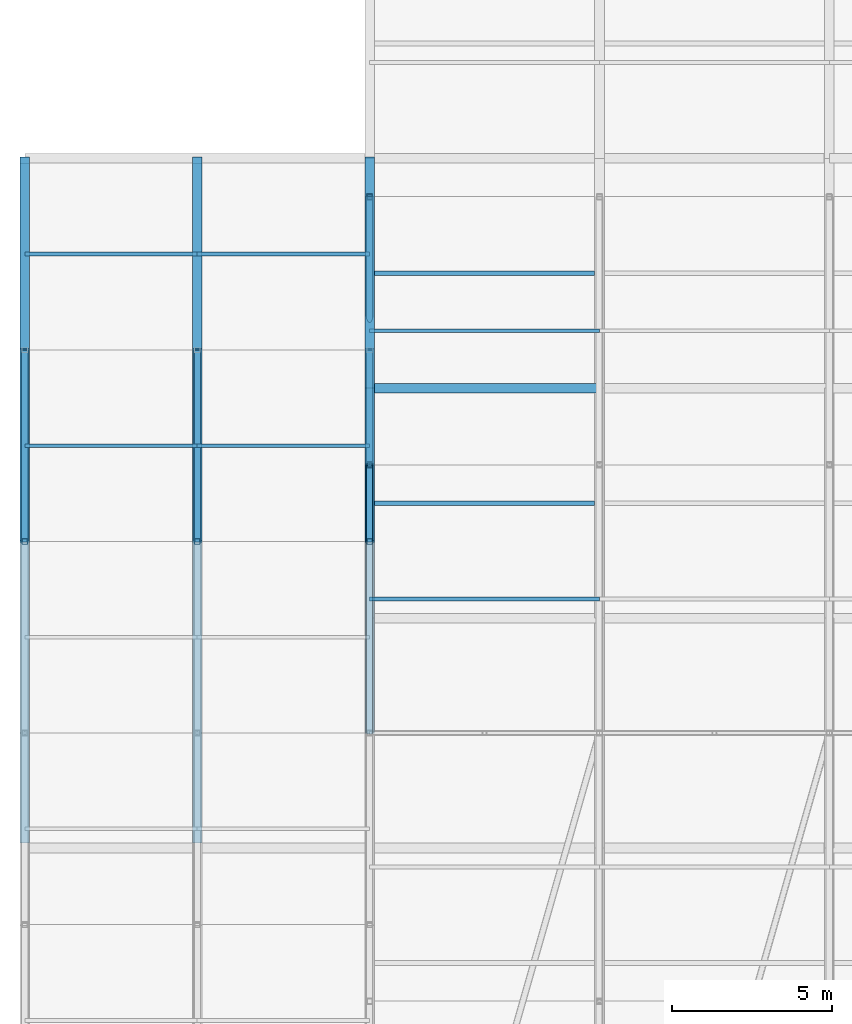
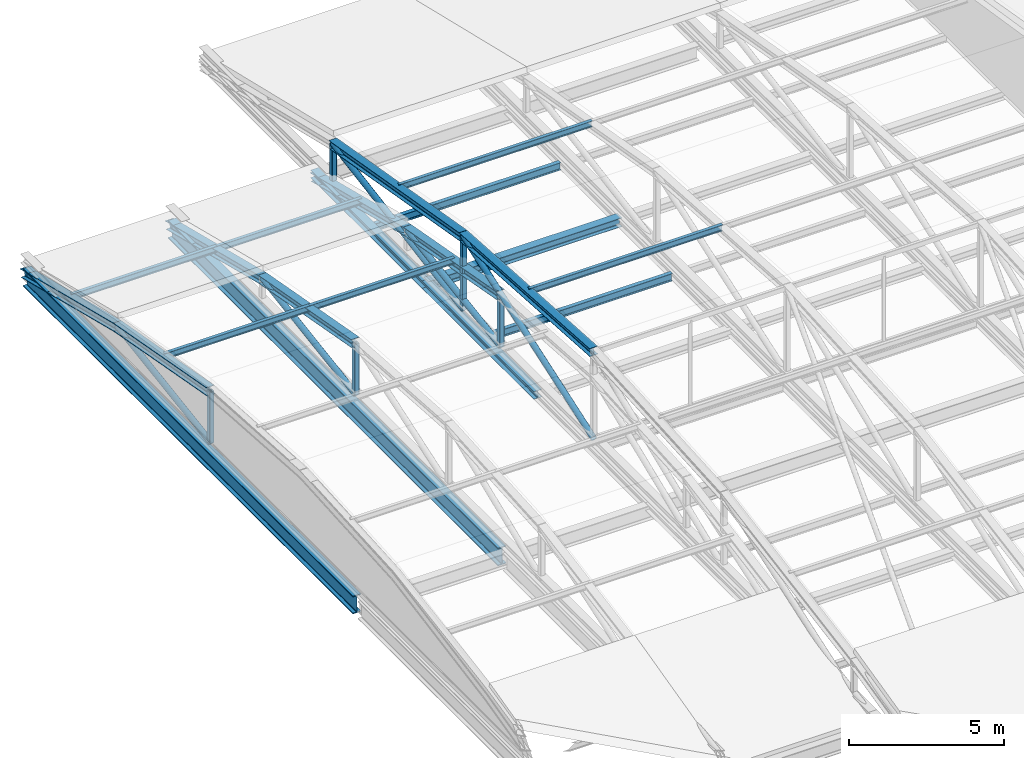
# One storey, part 35 of 76: 18 members, 13 beams.
"""IFC4 building model written with IfcOpenShell, lengths in metres."""

import ifcopenshell
import ifcopenshell.guid

model = None  # the IFC model being written
_history = None  # IfcOwnerHistory: only IFC2X3 demands one
_inside = {}  # id of a spatial element -> (the spatial element, [elements in it])
_under = {}  # id of a project, library or spatial element -> (it, [spatial elements below it])
_declared = {}  # id of a project -> (the project, [libraries it declares])
_typed = {}  # id of a type object -> (the type object, [elements of that type])
_made_of = {}  # id of a material, layer set ... -> (it, [elements and type objects made of it])


def new_model(schema):
    """Start an empty IFC model of exactly this schema.

    Asked for "IFC4X3", IfcOpenShell would pick the latest addendum, in which some entities
    have other attributes; the version numbers below select the first issue.
    IFC2X3 requires an IfcOwnerHistory on every rooted entity: one is made here for all.
    """
    global model, _history
    if schema == "IFC4X3":
        model = ifcopenshell.file(schema_version=(4, 3, 0, 0))
    else:
        model = ifcopenshell.file(schema=schema)
    _inside.clear()
    _under.clear()
    _declared.clear()
    _typed.clear()
    _made_of.clear()
    _history = None
    if model.schema == "IFC2X3":
        org = make("IfcOrganization", Name="unknown")
        user = make(
            "IfcPersonAndOrganization",
            ThePerson=make("IfcPerson", FamilyName="unknown"),
            TheOrganization=org,
        )
        app = make(
            "IfcApplication",
            ApplicationDeveloper=org,
            Version="unknown",
            ApplicationFullName="unknown",
            ApplicationIdentifier="unknown",
        )
        _history = make(
            "IfcOwnerHistory",
            OwningUser=user,
            OwningApplication=app,
            ChangeAction="ADDED",
            CreationDate=0,
        )
    return model


def make(cls, **values):
    """One entity of the class cls with the attributes given. An attribute that is None is left unset."""
    return model.create_entity(
        cls, **{name: value for name, value in values.items() if value is not None}
    )


def rooted(cls, **values):
    """An entity with a GlobalId (a new one), such as an element, a storey or a relation."""
    return make(cls, GlobalId=ifcopenshell.guid.new(), OwnerHistory=_history, **values)


def si_unit(unit_type, name, prefix=None):
    """IfcSIUnit, for example si_unit("LENGTHUNIT", "METRE", prefix="MILLI")."""
    return make("IfcSIUnit", UnitType=unit_type, Prefix=prefix, Name=name)


def assignment(units):
    """IfcUnitAssignment: the units of a project."""
    return None if units is None else make("IfcUnitAssignment", Units=units)


def point(xyz):
    """IfcCartesianPoint."""
    return None if xyz is None else make("IfcCartesianPoint", Coordinates=xyz)


def direction(xyz):
    """IfcDirection."""
    return None if xyz is None else make("IfcDirection", DirectionRatios=xyz)


def frame(location, z_axis=None, x_axis=None):
    """IfcAxis2Placement3D, a coordinate frame: its origin and axes. An axis left out is left unset."""
    return make(
        "IfcAxis2Placement3D",
        Location=point(location),
        Axis=direction(z_axis),
        RefDirection=direction(x_axis),
    )


def frame_2d(location, x_axis=None):
    """IfcAxis2Placement2D, a coordinate frame in the plane: its origin and x axis."""
    return make(
        "IfcAxis2Placement2D", Location=point(location), RefDirection=direction(x_axis)
    )


def origin():
    """The frame at (0, 0, 0) with its axes left unset."""
    return frame((0.0, 0.0, 0.0))


def origin_2d():
    """The frame at (0, 0) in the plane with its x axis left unset."""
    return frame_2d((0.0, 0.0))


def place(relative_to, where):
    """IfcLocalPlacement: puts the frame where relative to a parent placement (None: the world)."""
    return make(
        "IfcLocalPlacement", PlacementRelTo=relative_to, RelativePlacement=where
    )


def context(
    kind, dimensions, precision=None, world=None, true_north=None, identifier=None
):
    """IfcGeometricRepresentationContext, for example the 3D "Model" context."""
    return make(
        "IfcGeometricRepresentationContext",
        ContextIdentifier=identifier,
        ContextType=kind,
        CoordinateSpaceDimension=dimensions,
        Precision=precision,
        WorldCoordinateSystem=world,
        TrueNorth=true_north,
    )


def subcontext(parent, identifier, kind, view, scale=None):
    """IfcGeometricRepresentationSubContext, for example "Body" below "Model"."""
    return make(
        "IfcGeometricRepresentationSubContext",
        ContextIdentifier=identifier,
        ContextType=kind,
        ParentContext=parent,
        TargetScale=scale,
        TargetView=view,
    )


def project(units=None, contexts=None):
    """IfcProject with its units and contexts."""
    return rooted(
        "IfcProject",
        Name="project",
        RepresentationContexts=contexts,
        UnitsInContext=assignment(units),
    )


def spatial(cls, under=None, at=None, **own):
    """A site, building, storey or space (cls), placed at a placement, below another one or the project."""
    s = rooted(cls, ObjectPlacement=at, **own)
    if under is not None:
        _under.setdefault(under.id(), (under, []))[1].append(s)
    return s


def profile(cls, at=None, kind="AREA", **sizes):
    """A parametric profile (cls). Its sizes go by their IFC names, for example OverallWidth=200.0."""
    return make(cls, ProfileType=kind, Position=at, **sizes)


def hollow_rectangle(**sizes):
    """IfcRectangleHollowProfileDef."""
    return profile("IfcRectangleHollowProfileDef", **sizes)


def hollow_circle(**sizes):
    """IfcCircleHollowProfileDef."""
    return profile("IfcCircleHollowProfileDef", **sizes)


def i_section(**sizes):
    """IfcIShapeProfileDef."""
    return profile("IfcIShapeProfileDef", **sizes)


def extrude(swept, where, along, depth):
    """IfcExtrudedAreaSolid: the profile swept, set in the frame where, extruded along a direction by depth."""
    return make(
        "IfcExtrudedAreaSolid",
        SweptArea=swept,
        Position=where,
        ExtrudedDirection=direction(along),
        Depth=depth,
    )


def shape(context_of_items, identifier, shape_type, items):
    """IfcShapeRepresentation: the items that make up one representation, for example the "Body"."""
    return make(
        "IfcShapeRepresentation",
        ContextOfItems=context_of_items,
        RepresentationIdentifier=identifier,
        RepresentationType=shape_type,
        Items=items,
    )


def material(Name=None, Category=None):
    """IfcMaterial."""
    return make("IfcMaterial", Name=Name, Category=Category)


def material_profile(
    of_material, cross_section, Name=None, Category=None, Priority=None
):
    """IfcMaterialProfile: a cross section and its material."""
    return make(
        "IfcMaterialProfile",
        Name=Name,
        Material=of_material,
        Profile=cross_section,
        Priority=Priority,
        Category=Category,
    )


def profile_set(profiles, Name=None, composite=None):
    """IfcMaterialProfileSet."""
    return make(
        "IfcMaterialProfileSet",
        Name=Name,
        MaterialProfiles=profiles,
        CompositeProfile=composite,
    )


def made_of(thing, what):
    """Note that an element or type object is made of a material, layer set ...; save() writes the relation."""
    if what is not None:
        _made_of.setdefault(what.id(), (what, []))[1].append(thing)
    return thing


def type_object(cls, material=None, **own):
    """A type object (cls), such as IfcWallType, which elements share."""
    return made_of(rooted(cls, **own), material)


def element(
    cls,
    number,
    at=None,
    inside=None,
    cuts=None,
    type_object=None,
    material=None,
    context=None,
    identifier="Body",
    shape_type=None,
    held_by="IfcProductDefinitionShape",
    body=None,
    shapes=None,
    **own,
):
    """One element of the class cls, such as IfcWall. Its Tag is "e" and its number.

    at: its placement. inside: the storey or other place that contains it. cuts: it is an
    opening in that element (IfcRelVoidsElement). A single representation is given by context,
    identifier, shape_type and body (its items); several are given by shapes. held_by: the class
    of the entity that holds the representations. save() writes the other relations.
    """
    e = rooted(cls, Tag="e%d" % number, ObjectPlacement=at, **own)
    if body is not None:
        shapes = [shape(context, identifier, shape_type, body)]
    if shapes is not None:
        e.Representation = make(held_by, Representations=shapes)
    if inside is not None:
        _inside.setdefault(inside.id(), (inside, []))[1].append(e)
    if cuts is not None:
        rooted(
            "IfcRelVoidsElement", RelatingBuildingElement=cuts, RelatedOpeningElement=e
        )
    if type_object is not None:
        _typed.setdefault(type_object.id(), (type_object, []))[1].append(e)
    return made_of(e, material)


def aggregate(whole, parts):
    """IfcRelAggregates: a whole, such as a stair, and the parts it consists of."""
    return rooted("IfcRelAggregates", RelatingObject=whole, RelatedObjects=parts)


def save(model, path):
    """Write the relations noted so far, then the file.

    IfcRelAggregates (storeys below a building ...), IfcRelContainedInSpatialStructure (elements
    in a storey), IfcRelDefinesByType, IfcRelAssociatesMaterial and IfcRelDeclares: one each for
    every whole, place, type object, material and project.
    """
    for whole, parts in _under.values():
        aggregate(whole, parts)
    for where, things in _inside.values():
        rooted(
            "IfcRelContainedInSpatialStructure",
            RelatedElements=things,
            RelatingStructure=where,
        )
    for kind, things in _typed.values():
        rooted("IfcRelDefinesByType", RelatedObjects=things, RelatingType=kind)
    for what, things in _made_of.values():
        rooted("IfcRelAssociatesMaterial", RelatedObjects=things, RelatingMaterial=what)
    for by, libraries in _declared.values():
        rooted("IfcRelDeclares", RelatingContext=by, RelatedDefinitions=libraries)
    model.write(path)


model = new_model("IFC4")

# Units and contexts
model_context = context("Model", 3, precision=1e-05, world=origin(), true_north=direction((0.0, 1.0)))
body_context = subcontext(model_context, "Body", "Model", "MODEL_VIEW")
ifc_project = project(units=[si_unit("LENGTHUNIT", "METRE"), si_unit("AREAUNIT", "SQUARE_METRE"), si_unit("VOLUMEUNIT", "CUBIC_METRE"), si_unit("PLANEANGLEUNIT", "RADIAN"), si_unit("MASSUNIT", "GRAM", prefix="KILO")], contexts=[model_context])

# Site, building, storey
site_placement = place(None, origin())
site = spatial("IfcSite", under=ifc_project, at=site_placement, CompositionType="ELEMENT")
building_placement = place(site_placement, origin())
building = spatial("IfcBuilding", under=site, at=building_placement, Name="Zlatovets Crest Museum", CompositionType="ELEMENT")
storey_placement = place(building_placement, frame((0.0, 0.0, 17.10009765625)))
storey = spatial("IfcBuildingStorey", under=building, at=storey_placement, Name="L04", CompositionType="ELEMENT", Elevation=17.10009765625)

# Beams
ifc_material = material(Name="Structural steel S355J2", Category="steel")
ifc_material_profile_1 = material_profile(ifc_material, i_section(OverallWidth=0.300048828125, OverallDepth=0.35009765625, WebThickness=0.010009765625, FlangeThickness=0.017578125, FilletRadius=0.027099609375, at=origin_2d()), Name="HEA 360")
ifc_profile_set_1 = profile_set([ifc_material_profile_1], Name="Structural steel S355J2")
beam_type_1 = type_object("IfcBeamType", Name="Beam_B-03", PredefinedType="BEAM", material=ifc_profile_set_1)
beam_1_placement = place(storey_placement, frame((7.199951171875, 86.39990234375, -0.39501953125), z_axis=(1.0, 0.0, 0.0), x_axis=(0.0, 1.0, 0.0)))
element("IfcBeam", 1, at=beam_1_placement, inside=storey, type_object=beam_type_1, Name="V4 L04 Primary Girder B-03", PredefinedType="BEAM", context=body_context, shape_type="SweptSolid", body=[
    extrude(i_section(OverallWidth=0.300048828125, OverallDepth=0.35009765625, WebThickness=0.010009765625, FlangeThickness=0.017578125, FilletRadius=0.027099609375, at=origin_2d()), origin(), (0.0, 0.0, 1.0), 7.199951171875),
])
ifc_material_profile_2 = material_profile(ifc_material, i_section(OverallWidth=0.300048828125, OverallDepth=0.31005859375, WebThickness=0.009033203125, FlangeThickness=0.015380859375, FilletRadius=0.027099609375, at=origin_2d()), Name="HEA 320")
ifc_profile_set_2 = profile_set([ifc_material_profile_2], Name="Structural steel S355J2")
beam_type_2 = type_object("IfcBeamType", Name="Beam_B-04", PredefinedType="BEAM", material=ifc_profile_set_2)
beam_2_placement = place(storey_placement, frame((7.199951171875, 79.199951171875, -0.375), z_axis=(0.0, 1.0, 0.0), x_axis=(-1.0, 0.0, 0.0)))
element("IfcBeam", 2, at=beam_2_placement, inside=storey, type_object=beam_type_2, Name="V4 L04 Grid Beam B-04", PredefinedType="BEAM", context=body_context, shape_type="SweptSolid", body=[
    extrude(i_section(OverallWidth=0.300048828125, OverallDepth=0.31005859375, WebThickness=0.009033203125, FlangeThickness=0.015380859375, FilletRadius=0.027099609375, at=origin_2d()), origin(), (0.0, 0.0, 1.0), 7.199951171875),
])
beam_3_placement = place(storey_placement, frame((7.199951171875, 86.39990234375, -0.375), z_axis=(0.0, 1.0, 0.0), x_axis=(-1.0, 0.0, 0.0)))
element("IfcBeam", 3, at=beam_3_placement, inside=storey, type_object=beam_type_2, Name="V4 L04 Grid Beam B-04", PredefinedType="BEAM", context=body_context, shape_type="SweptSolid", body=[
    extrude(i_section(OverallWidth=0.300048828125, OverallDepth=0.31005859375, WebThickness=0.009033203125, FlangeThickness=0.015380859375, FilletRadius=0.027099609375, at=origin_2d()), origin(), (0.0, 0.0, 1.0), 7.2001953125),
])
ifc_material_profile_3 = material_profile(ifc_material, i_section(OverallWidth=0.300048828125, OverallDepth=0.699951171875, WebThickness=0.01708984375, FlangeThickness=0.031982421875, FilletRadius=0.027099609375, at=origin_2d()), Name="HEB 700")
ifc_profile_set_3 = profile_set([ifc_material_profile_3], Name="Structural steel S355J2")
beam_type_3 = type_object("IfcBeamType", Name="Beam_B-08", PredefinedType="BEAM", material=ifc_profile_set_3)
for number, where, z_axis, x_axis, name in (
    (4, (-3.60009765625, 72.159912109375, -0.570068359375), (0.0, 1.0, 0.0), (-1.0, 0.0, 0.0), "Cantilever Gallery Roof Springing Beam B-08"),
    (5, (1.800048828125, 72.159912109375, -0.570068359375), (0.0, 1.0, 0.0), (-1.0, 0.0, 0.0), "Cantilever Gallery Roof Springing Beam B-08"),
):
    element("IfcBeam", number, at=place(storey_placement, frame(where, z_axis=z_axis, x_axis=x_axis)), inside=storey, type_object=beam_type_3, Name=name, PredefinedType="BEAM", context=body_context, shape_type="SweptSolid", body=[
        extrude(i_section(OverallWidth=0.300048828125, OverallDepth=0.699951171875, WebThickness=0.01708984375, FlangeThickness=0.031982421875, FilletRadius=0.027099609375, at=origin_2d()), origin(), (0.0, 0.0, 1.0), 21.280029296875),
    ])
ifc_material_profile_4 = material_profile(ifc_material, i_section(OverallWidth=0.14990234375, OverallDepth=0.300048828125, WebThickness=0.007080078125, FlangeThickness=0.0107421875, FilletRadius=0.014892578125, at=origin_2d()), Name="IPE 300")
ifc_profile_set_4 = profile_set([ifc_material_profile_4], Name="Structural steel S355J2")
beam_type_4 = type_object("IfcBeamType", Name="Beam_J-02", PredefinedType="JOIST", material=ifc_profile_set_4)
for number, where, z_axis, x_axis, name in (
    (6, (7.35009765625, 82.800048828125, -0.3701171875), (1.0, 0.0, 0.0), (0.0, 1.0, 0.0), "V4 L04 Composite Joist J-02"),
    (7, (7.35009765625, 90.0, -0.3701171875), (1.0, 0.0, 0.0), (0.0, 1.0, 0.0), "V4 L04 Composite Joist J-02"),
):
    element("IfcBeam", number, at=place(storey_placement, frame(where, z_axis=z_axis, x_axis=x_axis)), inside=storey, type_object=beam_type_4, Name=name, PredefinedType="JOIST", context=body_context, shape_type="SweptSolid", body=[
        extrude(i_section(OverallWidth=0.14990234375, OverallDepth=0.300048828125, WebThickness=0.007080078125, FlangeThickness=0.0107421875, FilletRadius=0.014892578125, at=origin_2d()), origin(), (0.0, 0.0, 1.0), 6.89990234375),
    ])
ifc_material_profile_5 = material_profile(ifc_material, i_section(OverallWidth=0.1201171875, OverallDepth=0.239990234375, WebThickness=0.006103515625, FlangeThickness=0.009765625, FilletRadius=0.014892578125, at=origin_2d()), Name="IPE 240")
ifc_profile_set_5 = profile_set([ifc_material_profile_5], Name="Structural steel S355J2")
beam_type_5 = type_object("IfcBeamType", Name="Beam_PR-01", PredefinedType="BEAM", material=ifc_profile_set_5)
for number, where, z_axis, x_axis, name in (
    (8, (7.199951171875, 79.800048828125, 3.33203125), (1.0, 0.0, 0.0), (0.0, 1.0, 0.0), "V4 Barrel Vault Longitudinal Purlin"),
    (9, (7.199951171875, 88.199951171875, 2.33203125), (1.0, 0.0, 0.0), (0.0, 1.0, 0.0), "V4 Barrel Vault Longitudinal Purlin"),
):
    element("IfcBeam", number, at=place(storey_placement, frame(where, z_axis=z_axis, x_axis=x_axis)), inside=storey, type_object=beam_type_5, Name=name, PredefinedType="BEAM", context=body_context, shape_type="SweptSolid", body=[
        extrude(i_section(OverallWidth=0.1201171875, OverallDepth=0.239990234375, WebThickness=0.006103515625, FlangeThickness=0.009765625, FilletRadius=0.014892578125, at=origin_2d()), origin(), (0.0, 0.0, 1.0), 7.199951171875),
    ])
for number, where, z_axis, x_axis, name in (
    (10, (-3.60009765625, 84.60009765625, 1.64892578125), (1.0, 0.0, 0.0), (0.0, 1.0, 0.0), "V4 Barrel Vault Longitudinal Purlin"),
    (11, (-3.60009765625, 90.60009765625, 0.349853515625), (1.0, 0.0, 0.0), (0.0, 1.0, 0.0), "V4 Barrel Vault Longitudinal Purlin"),
):
    element("IfcBeam", number, at=place(storey_placement, frame(where, z_axis=z_axis, x_axis=x_axis)), inside=storey, type_object=beam_type_5, Name=name, PredefinedType="BEAM", context=body_context, shape_type="SweptSolid", body=[
        extrude(i_section(OverallWidth=0.1201171875, OverallDepth=0.239990234375, WebThickness=0.006103515625, FlangeThickness=0.009765625, FilletRadius=0.014892578125, at=origin_2d()), origin(), (0.0, 0.0, 1.0), 5.400146484375),
    ])
for number, where, z_axis, x_axis, name in (
    (12, (1.800048828125, 84.60009765625, 1.64892578125), (1.0, 0.0, 0.0), (0.0, 1.0, 0.0), "V4 Barrel Vault Longitudinal Purlin"),
    (13, (1.800048828125, 90.60009765625, 0.349853515625), (1.0, 0.0, 0.0), (0.0, 1.0, 0.0), "V4 Barrel Vault Longitudinal Purlin"),
):
    element("IfcBeam", number, at=place(storey_placement, frame(where, z_axis=z_axis, x_axis=x_axis)), inside=storey, type_object=beam_type_5, Name=name, PredefinedType="BEAM", context=body_context, shape_type="SweptSolid", body=[
        extrude(i_section(OverallWidth=0.1201171875, OverallDepth=0.239990234375, WebThickness=0.006103515625, FlangeThickness=0.009765625, FilletRadius=0.014892578125, at=origin_2d()), origin(), (0.0, 0.0, 1.0), 5.39990234375),
    ])

# Members
ifc_material_profile_6 = material_profile(ifc_material, i_section(OverallWidth=0.300048828125, OverallDepth=0.31005859375, WebThickness=0.009033203125, FlangeThickness=0.015380859375, FilletRadius=0.027099609375, at=origin_2d()), Name="HEA 320")
ifc_profile_set_6 = profile_set([ifc_material_profile_6], Name="Structural steel S355J2")
member_type_1 = type_object("IfcMemberType", Name="Member_TM-02", PredefinedType="RAFTER", material=ifc_profile_set_6)
member_1_placement = place(storey_placement, frame((7.199951171875, 75.60009765625, 3.5), z_axis=(0.0, 0.997971161643, -0.063667578324), x_axis=(-1.0, 0.0, 0.0)))
element("IfcMember", 14, at=member_1_placement, inside=storey, type_object=member_type_1, Name="V4 Art Nouveau Curved Vault Rib", PredefinedType="RAFTER", context=body_context, shape_type="SweptSolid", body=[
    extrude(i_section(OverallWidth=0.300048828125, OverallDepth=0.31005859375, WebThickness=0.009033203125, FlangeThickness=0.015380859375, FilletRadius=0.027099609375, at=origin_2d()), origin(), (0.0, 0.0, 1.0), 8.4169921875),
])
member_2_placement = place(storey_placement, frame((7.199951171875, 84.0, 2.964111328125), z_axis=(0.0, 0.985147168776, -0.171712130766), x_axis=(-1.0, 0.0, 0.0)))
element("IfcMember", 15, at=member_2_placement, inside=storey, type_object=member_type_1, Name="V4 Art Nouveau Curved Vault Rib", PredefinedType="RAFTER", context=body_context, shape_type="SweptSolid", body=[
    extrude(i_section(OverallWidth=0.300048828125, OverallDepth=0.31005859375, WebThickness=0.009033203125, FlangeThickness=0.015380859375, FilletRadius=0.027099609375, at=origin_2d()), origin(), (0.0, 0.0, 1.0), 8.526611328125),
])
member_3_placement = place(storey_placement, frame((-3.60009765625, 81.60009765625, 2.097900390625), z_axis=(0.0, 0.983667555807, -0.179994832294), x_axis=(-1.0, 0.0, 0.0)))
element("IfcMember", 16, at=member_3_placement, inside=storey, type_object=member_type_1, Name="V4 Art Nouveau Curved Vault Rib", PredefinedType="RAFTER", context=body_context, shape_type="SweptSolid", body=[
    extrude(i_section(OverallWidth=0.300048828125, OverallDepth=0.31005859375, WebThickness=0.009033203125, FlangeThickness=0.015380859375, FilletRadius=0.027099609375, at=origin_2d()), origin(), (0.0, 0.0, 1.0), 6.099609375),
])
member_4_placement = place(storey_placement, frame((-3.60009765625, 87.60009765625, 1.0), z_axis=(0.0, 0.970142500145, -0.242535625036), x_axis=(-1.0, 0.0, 0.0)))
element("IfcMember", 17, at=member_4_placement, inside=storey, type_object=member_type_1, Name="V4 Art Nouveau Curved Vault Rib", PredefinedType="RAFTER", context=body_context, shape_type="SweptSolid", body=[
    extrude(i_section(OverallWidth=0.300048828125, OverallDepth=0.31005859375, WebThickness=0.009033203125, FlangeThickness=0.015380859375, FilletRadius=0.027099609375, at=origin_2d()), origin(), (0.0, 0.0, 1.0), 6.1845703125),
])
member_5_placement = place(storey_placement, frame((1.800048828125, 81.60009765625, 2.097900390625), z_axis=(0.0, 0.983667555807, -0.179994832294), x_axis=(-1.0, 0.0, 0.0)))
element("IfcMember", 18, at=member_5_placement, inside=storey, type_object=member_type_1, Name="V4 Art Nouveau Curved Vault Rib", PredefinedType="RAFTER", context=body_context, shape_type="SweptSolid", body=[
    extrude(i_section(OverallWidth=0.300048828125, OverallDepth=0.31005859375, WebThickness=0.009033203125, FlangeThickness=0.015380859375, FilletRadius=0.027099609375, at=origin_2d()), origin(), (0.0, 0.0, 1.0), 6.099609375),
])
member_6_placement = place(storey_placement, frame((1.800048828125, 87.60009765625, 1.0), z_axis=(0.0, 0.970142500145, -0.242535625036), x_axis=(-1.0, 0.0, 0.0)))
element("IfcMember", 19, at=member_6_placement, inside=storey, type_object=member_type_1, Name="V4 Art Nouveau Curved Vault Rib", PredefinedType="RAFTER", context=body_context, shape_type="SweptSolid", body=[
    extrude(i_section(OverallWidth=0.300048828125, OverallDepth=0.31005859375, WebThickness=0.009033203125, FlangeThickness=0.015380859375, FilletRadius=0.027099609375, at=origin_2d()), origin(), (0.0, 0.0, 1.0), 6.1845703125),
])
member_7_placement = place(storey_placement, frame((7.199951171875, 81.60009765625, 2.097900390625), z_axis=(0.0, 0.983667555807, -0.179994832294), x_axis=(-1.0, 0.0, 0.0)))
element("IfcMember", 20, at=member_7_placement, inside=storey, type_object=member_type_1, Name="V4 Art Nouveau Curved Vault Rib", PredefinedType="RAFTER", context=body_context, shape_type="SweptSolid", body=[
    extrude(i_section(OverallWidth=0.300048828125, OverallDepth=0.31005859375, WebThickness=0.009033203125, FlangeThickness=0.015380859375, FilletRadius=0.027099609375, at=origin_2d()), origin(), (0.0, 0.0, 1.0), 6.099609375),
])
member_8_placement = place(storey_placement, frame((7.199951171875, 87.60009765625, 1.0), z_axis=(0.0, 0.970142500145, -0.242535625036), x_axis=(-1.0, 0.0, 0.0)))
element("IfcMember", 21, at=member_8_placement, inside=storey, type_object=member_type_1, Name="V4 Art Nouveau Curved Vault Rib", PredefinedType="RAFTER", context=body_context, shape_type="SweptSolid", body=[
    extrude(i_section(OverallWidth=0.300048828125, OverallDepth=0.31005859375, WebThickness=0.009033203125, FlangeThickness=0.015380859375, FilletRadius=0.027099609375, at=origin_2d()), origin(), (0.0, 0.0, 1.0), 6.1845703125),
])
ifc_material_profile_7 = material_profile(ifc_material, hollow_rectangle(XDim=0.179931640625, YDim=0.179931640625, WallThickness=0.010009765625, InnerFilletRadius=0.010009765625, OuterFilletRadius=0.02001953125, at=origin_2d()), Name="SHS 180x180x10.0")
ifc_profile_set_7 = profile_set([ifc_material_profile_7], Name="Structural steel S355J2")
member_type_2 = type_object("IfcMemberType", Name="Member_TM-04", PredefinedType="STRUT", material=ifc_profile_set_7)
member_9_placement = place(storey_placement, frame((7.199951171875, 84.0, 0.079833984375), z_axis=(0.0, 0.0, 1.0), x_axis=(1.0, 0.0, 0.0)))
element("IfcMember", 22, at=member_9_placement, inside=storey, type_object=member_type_2, Name="V4 Barrel Vault Web Strut", PredefinedType="STRUT", context=body_context, shape_type="SweptSolid", body=[
    extrude(hollow_rectangle(XDim=0.179931640625, YDim=0.179931640625, WallThickness=0.010009765625, InnerFilletRadius=0.010009765625, OuterFilletRadius=0.02001953125, at=origin_2d()), origin(), (0.0, 0.0, 1.0), 2.88427734375),
])
member_10_placement = place(storey_placement, frame((7.199951171875, 92.39990234375, 0.079833984375), z_axis=(0.0, 0.0, 1.0), x_axis=(1.0, 0.0, 0.0)))
element("IfcMember", 23, at=member_10_placement, inside=storey, type_object=member_type_2, Name="V4 Barrel Vault Web Strut", PredefinedType="STRUT", context=body_context, shape_type="SweptSolid", body=[
    extrude(hollow_rectangle(XDim=0.179931640625, YDim=0.179931640625, WallThickness=0.010009765625, InnerFilletRadius=0.010009765625, OuterFilletRadius=0.02001953125, at=origin_2d()), origin(), (0.0, 0.0, 1.0), 1.420166015625),
])
for number, where, z_axis, x_axis, name in (
    (24, (-3.60009765625, 81.60009765625, 0.079833984375), (0.0, 0.0, 1.0), (1.0, 0.0, 0.0), "V4 Barrel Vault Web Strut"),
    (25, (1.800048828125, 81.60009765625, 0.079833984375), (0.0, 0.0, 1.0), (1.0, 0.0, 0.0), "V4 Barrel Vault Web Strut"),
    (26, (7.199951171875, 81.60009765625, 0.079833984375), (0.0, 0.0, 1.0), (1.0, 0.0, 0.0), "V4 Barrel Vault Web Strut"),
):
    element("IfcMember", number, at=place(storey_placement, frame(where, z_axis=z_axis, x_axis=x_axis)), inside=storey, type_object=member_type_2, Name=name, PredefinedType="STRUT", context=body_context, shape_type="SweptSolid", body=[
        extrude(hollow_rectangle(XDim=0.179931640625, YDim=0.179931640625, WallThickness=0.010009765625, InnerFilletRadius=0.010009765625, OuterFilletRadius=0.02001953125, at=origin_2d()), origin(), (0.0, 0.0, 1.0), 2.01806640625),
    ])
ifc_material_profile_8 = material_profile(ifc_material, hollow_circle(Radius=0.109619140625, WallThickness=0.010009765625, at=origin_2d()), Name="CHS 219.1x10.0")
ifc_profile_set_8 = profile_set([ifc_material_profile_8], Name="Structural steel S355J2")
member_type_3 = type_object("IfcMemberType", Name="Member_TM-05", PredefinedType="BRACE", material=ifc_profile_set_8)
member_11_placement = place(storey_placement, frame((7.199951171875, 75.60009765625, 0.079833984375), z_axis=(0.0, 0.945796934136, 0.324758617098), x_axis=(-1.0, 0.0, 0.0)))
element("IfcMember", 27, at=member_11_placement, inside=storey, type_object=member_type_3, Name="V4 Barrel Vault Web Diagonal", PredefinedType="BRACE", context=body_context, shape_type="SweptSolid", body=[
    extrude(hollow_circle(Radius=0.109619140625, WallThickness=0.010009765625, at=origin_2d()), origin(), (0.0, 0.0, 1.0), 8.88134765625),
])
member_12_placement = place(storey_placement, frame((7.199951171875, 84.0, 0.079833984375), z_axis=(0.0, 0.986007058524, 0.166703570872), x_axis=(-1.0, 0.0, 0.0)))
element("IfcMember", 28, at=member_12_placement, inside=storey, type_object=member_type_3, Name="V4 Barrel Vault Web Diagonal", PredefinedType="BRACE", context=body_context, shape_type="SweptSolid", body=[
    extrude(hollow_circle(Radius=0.109619140625, WallThickness=0.010009765625, at=origin_2d()), origin(), (0.0, 0.0, 1.0), 8.51904296875),
])
for number, where, z_axis, x_axis, name in (
    (29, (-3.60009765625, 81.60009765625, 0.079833984375), (0.0, 0.988443656931, 0.151588710245), (-1.0, 0.0, 0.0), "V4 Barrel Vault Web Diagonal"),
    (30, (1.800048828125, 81.60009765625, 0.079833984375), (0.0, 0.988443656931, 0.151588710245), (-1.0, 0.0, 0.0), "V4 Barrel Vault Web Diagonal"),
    (31, (7.199951171875, 81.60009765625, 0.079833984375), (0.0, 0.988443656931, 0.151588710245), (-1.0, 0.0, 0.0), "V4 Barrel Vault Web Diagonal"),
):
    element("IfcMember", number, at=place(storey_placement, frame(where, z_axis=z_axis, x_axis=x_axis)), inside=storey, type_object=member_type_3, Name=name, PredefinedType="BRACE", context=body_context, shape_type="SweptSolid", body=[
        extrude(hollow_circle(Radius=0.109619140625, WallThickness=0.010009765625, at=origin_2d()), origin(), (0.0, 0.0, 1.0), 6.070068359375),
    ])

save(model, "model.ifc")
